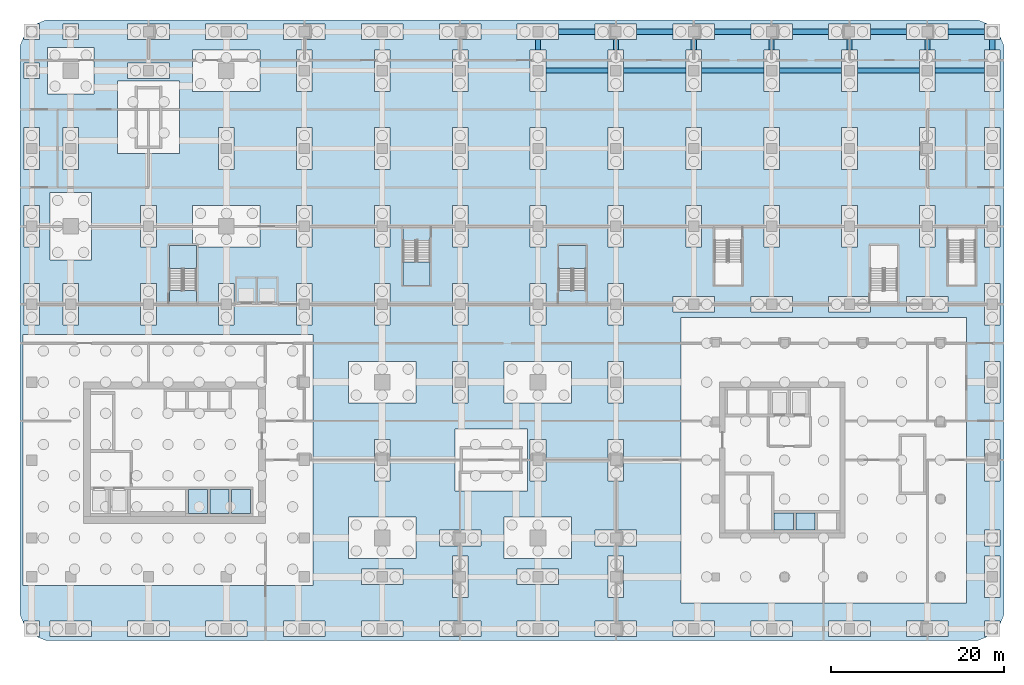
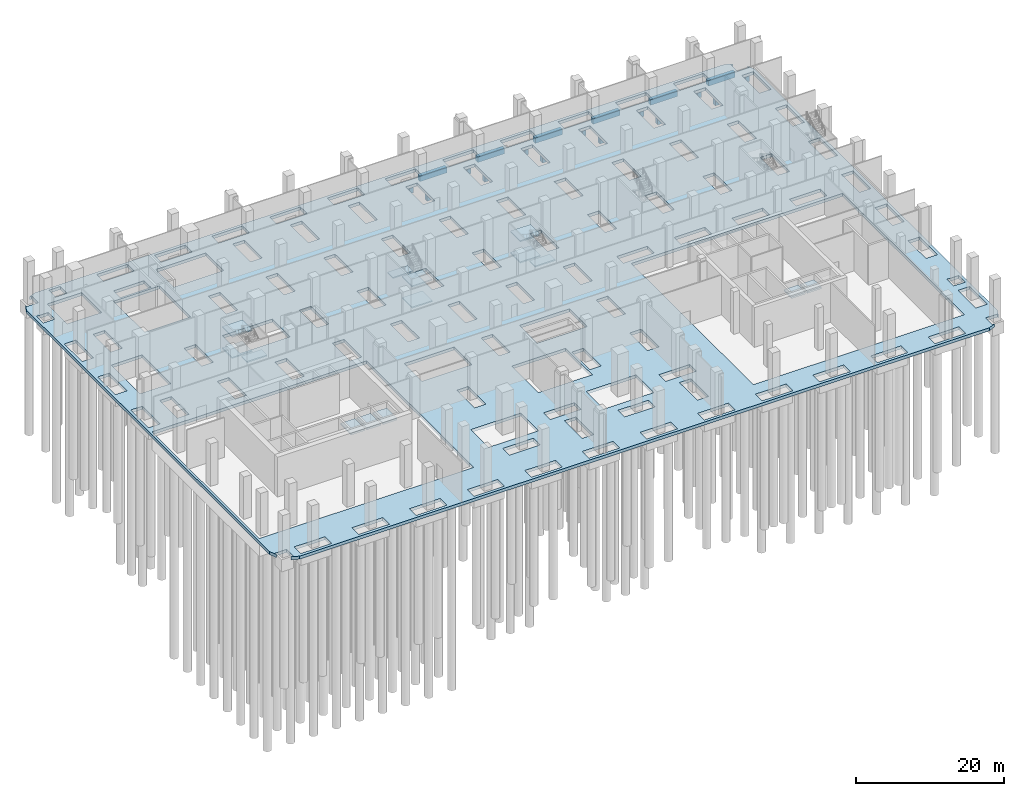
# One storey, part 6 of 23: 19 beams, 15 slabs, 3 elements without a shape of their own.
"""IFC4 building model written with IfcOpenShell, lengths in metres."""

from ifc_helpers import new_model, si_unit, direction, frame, origin, origin_2d, place, context, subcontext, project, spatial, polyline, rectangle, outline, extrude, material, layer, layer_set, material_profile, profile_set, type_object, element, aggregate, save


model = new_model("IFC4")

# Units and contexts
model_context = context("Model", 3, precision=1e-05, world=origin(), true_north=direction((0.0, 1.0)))
body_context = subcontext(model_context, "Body", "Model", "MODEL_VIEW")
ifc_project = project(units=[si_unit("LENGTHUNIT", "METRE"), si_unit("AREAUNIT", "SQUARE_METRE"), si_unit("VOLUMEUNIT", "CUBIC_METRE"), si_unit("PLANEANGLEUNIT", "RADIAN"), si_unit("MASSUNIT", "GRAM", prefix="KILO")], contexts=[model_context])

# Site, building, storey
site_placement = place(None, origin())
site = spatial("IfcSite", under=ifc_project, at=site_placement, CompositionType="ELEMENT")
building_placement = place(site_placement, origin())
building = spatial("IfcBuilding", under=site, at=building_placement, Name="Plateau Cross Towers", CompositionType="ELEMENT")
storey_placement = place(building_placement, frame((0.0, 0.0, -7.0)))
storey = spatial("IfcBuildingStorey", under=building, at=storey_placement, Name="B1", CompositionType="ELEMENT", Elevation=-7.0)

# Beams
ifc_material = material(Name="Concrete C40/50", Category="concrete")
ifc_material_profile = material_profile(ifc_material, rectangle(XDim=0.60009765625, YDim=0.89990234375, at=origin_2d()), Name="RC 600x900")
ifc_profile_set = profile_set([ifc_material_profile], Name="Concrete C40/50")
beam_type = type_object("IfcBeamType", Name="Ground tie beam RC 600x900", PredefinedType="BEAM", material=ifc_profile_set)
for number, where, z_axis, x_axis, name in (
    (1, (54.89990234375, 54.0, -0.949951171875), (1.0, 0.0, 0.0), (0.0, 1.0, 0.0), "GB085@B1"),
    (2, (63.89990234375, 54.0, -0.949951171875), (1.0, 0.0, 0.0), (0.0, 1.0, 0.0), "GB086@B1"),
    (3, (72.89990234375, 54.0, -0.949951171875), (1.0, 0.0, 0.0), (0.0, 1.0, 0.0), "GB087@B1"),
    (4, (81.89990234375, 54.0, -0.949951171875), (1.0, 0.0, 0.0), (0.0, 1.0, 0.0), "GB088@B1"),
    (5, (90.89990234375, 54.0, -0.949951171875), (1.0, 0.0, 0.0), (0.0, 1.0, 0.0), "GB089@B1"),
):
    element("IfcBeam", number, at=place(storey_placement, frame(where, z_axis=z_axis, x_axis=x_axis)), inside=storey, type_object=beam_type, Name=name, PredefinedType="BEAM", context=body_context, shape_type="SweptSolid", body=[
        extrude(rectangle(XDim=0.60009765625, YDim=0.89990234375, at=origin_2d()), origin(), (0.0, 0.0, 1.0), 7.2001953125),
    ])
beam_placement = place(storey_placement, frame((99.89990234375, 54.0, -0.949951171875), z_axis=(1.0, 0.0, 0.0), x_axis=(0.0, 1.0, 0.0)))
element("IfcBeam", 6, at=beam_placement, inside=storey, type_object=beam_type, Name="GB090@B1", PredefinedType="BEAM", context=body_context, shape_type="SweptSolid", body=[
    extrude(rectangle(XDim=0.60009765625, YDim=0.89990234375, at=origin_2d()), origin(), (0.0, 0.0, 1.0), 5.7001953125),
])
for number, where, z_axis, x_axis, name in (
    (7, (56.39990234375, 58.5, -0.949951171875), (1.0, 0.0, 0.0), (0.0, 1.0, 0.0), "GB098@B1"),
    (8, (65.39990234375, 58.5, -0.949951171875), (1.0, 0.0, 0.0), (0.0, 1.0, 0.0), "GB099@B1"),
    (9, (74.39990234375, 58.5, -0.949951171875), (1.0, 0.0, 0.0), (0.0, 1.0, 0.0), "GB100@B1"),
    (10, (83.39990234375, 58.5, -0.949951171875), (1.0, 0.0, 0.0), (0.0, 1.0, 0.0), "GB101@B1"),
    (11, (92.39990234375, 58.5, -0.949951171875), (1.0, 0.0, 0.0), (0.0, 1.0, 0.0), "GB102@B1"),
    (12, (101.39990234375, 58.5, -0.949951171875), (1.0, 0.0, 0.0), (0.0, 1.0, 0.0), "GB103@B1"),
):
    element("IfcBeam", number, at=place(storey_placement, frame(where, z_axis=z_axis, x_axis=x_axis)), inside=storey, type_object=beam_type, Name=name, PredefinedType="BEAM", context=body_context, shape_type="SweptSolid", body=[
        extrude(rectangle(XDim=0.60009765625, YDim=0.89990234375, at=origin_2d()), origin(), (0.0, 0.0, 1.0), 4.2001953125),
    ])
for number, where, z_axis, x_axis, name in (
    (13, (54.0, 56.39990234375, -0.949951171875), (0.0, 1.0, 0.0), (-1.0, 0.0, 0.0), "GB161@B1"),
    (14, (63.0, 56.39990234375, -0.949951171875), (0.0, 1.0, 0.0), (-1.0, 0.0, 0.0), "GB170@B1"),
    (15, (72.0, 56.39990234375, -0.949951171875), (0.0, 1.0, 0.0), (-1.0, 0.0, 0.0), "GB174@B1"),
    (16, (81.0, 56.39990234375, -0.949951171875), (0.0, 1.0, 0.0), (-1.0, 0.0, 0.0), "GB180@B1"),
    (17, (90.0, 56.39990234375, -0.949951171875), (0.0, 1.0, 0.0), (-1.0, 0.0, 0.0), "GB185@B1"),
    (18, (99.0, 56.39990234375, -0.949951171875), (0.0, 1.0, 0.0), (-1.0, 0.0, 0.0), "GB190@B1"),
    (19, (106.5, 56.39990234375, -0.949951171875), (0.0, 1.0, 0.0), (-1.0, 0.0, 0.0), "GB199@B1"),
):
    element("IfcBeam", number, at=place(storey_placement, frame(where, z_axis=z_axis, x_axis=x_axis)), inside=storey, type_object=beam_type, Name=name, PredefinedType="BEAM", context=body_context, shape_type="SweptSolid", body=[
        extrude(rectangle(XDim=0.60009765625, YDim=0.89990234375, at=origin_2d()), origin(), (0.0, 0.0, 1.0), 1.2001953125),
    ])

# Slabs
ifc_layer_1 = layer(ifc_material, 0.5)
ifc_layer_set_1 = layer_set([ifc_layer_1], Name="Concrete C40/50")
slab_type_1 = type_object("IfcSlabType", Name="Base slab 500", PredefinedType="BASESLAB", material=ifc_layer_set_1)
slab_1_placement = place(storey_placement, frame((0.0, 0.0, -0.5)))
element("IfcSlab", 20, at=slab_1_placement, inside=storey, type_object=slab_type_1, Name="SL-P-B1", PredefinedType="BASESLAB", context=body_context, shape_type="SweptSolid", body=[
    extrude(outline(polyline([(104.85009765625, -11.85009765625), (-2.85009765625, -11.85009765625), (-3.936279296875, -11.39990234375), (-3.60009765625, -11.39990234375), (-3.60009765625, -9.60009765625), (-5.39990234375, -9.60009765625), (-5.39990234375, -9.936279296875), (-5.85009765625, -8.85009765625), (-5.85009765625, 56.85009765625), (-5.39990234375, 57.936279296875), (-5.39990234375, 57.60009765625), (-3.60009765625, 57.60009765625), (-3.60009765625, 59.39990234375), (-3.936279296875, 59.39990234375), (-2.85009765625, 59.85009765625), (104.85009765625, 59.85009765625), (105.936279296875, 59.39990234375), (105.60009765625, 59.39990234375), (105.60009765625, 57.60009765625), (107.39990234375, 57.60009765625), (107.39990234375, 57.936279296875), (107.85009765625, 56.85009765625), (107.85009765625, -8.85009765625), (107.39990234375, -9.936279296875), (107.39990234375, -9.60009765625), (105.60009765625, -9.60009765625), (105.60009765625, -11.39990234375), (105.936279296875, -11.39990234375), (104.85009765625, -11.85009765625)]), holes=[polyline([(-2.39990234375, -9.60009765625), (-2.39990234375, -11.39990234375), (2.39990234375, -11.39990234375), (2.39990234375, -9.60009765625), (-2.39990234375, -9.60009765625)]), polyline([(15.60009765625, -9.60009765625), (15.60009765625, -11.39990234375), (20.39990234375, -11.39990234375), (20.39990234375, -9.60009765625), (15.60009765625, -9.60009765625)]), polyline([(6.60009765625, -11.39990234375), (11.39990234375, -11.39990234375), (11.39990234375, -9.60009765625), (6.60009765625, -9.60009765625), (6.60009765625, -11.39990234375)]), polyline([(-5.5, 23.5), (-5.5, -5.5), (28.0, -5.5), (28.0, 23.5), (-5.5, 23.5)]), polyline([(-5.39990234375, 29.39990234375), (-5.39990234375, 24.60009765625), (-3.60009765625, 24.60009765625), (-3.60009765625, 29.39990234375), (-5.39990234375, 29.39990234375)]), polyline([(17.10009765625, 24.60009765625), (18.89990234375, 24.60009765625), (18.89990234375, 29.39990234375), (17.10009765625, 29.39990234375), (17.10009765625, 24.60009765625)]), polyline([(-0.89990234375, 29.39990234375), (-0.89990234375, 24.60009765625), (0.89990234375, 24.60009765625), (0.89990234375, 29.39990234375), (-0.89990234375, 29.39990234375)]), polyline([(8.10009765625, 29.39990234375), (8.10009765625, 24.60009765625), (9.89990234375, 24.60009765625), (9.89990234375, 29.39990234375), (8.10009765625, 29.39990234375)]), polyline([(14.10009765625, 38.39990234375), (14.10009765625, 33.60009765625), (21.89990234375, 33.60009765625), (21.89990234375, 38.39990234375), (14.10009765625, 38.39990234375)]), polyline([(-5.39990234375, 38.39990234375), (-5.39990234375, 33.60009765625), (-3.60009765625, 33.60009765625), (-3.60009765625, 38.39990234375), (-5.39990234375, 38.39990234375)]), polyline([(8.10009765625, 38.39990234375), (8.10009765625, 33.60009765625), (9.89990234375, 33.60009765625), (9.89990234375, 38.39990234375), (8.10009765625, 38.39990234375)]), polyline([(-2.39990234375, 39.89990234375), (-2.39990234375, 32.10009765625), (2.39990234375, 32.10009765625), (2.39990234375, 39.89990234375), (-2.39990234375, 39.89990234375)]), polyline([(-0.89990234375, 42.60009765625), (0.89990234375, 42.60009765625), (0.89990234375, 47.39990234375), (-0.89990234375, 47.39990234375), (-0.89990234375, 42.60009765625)]), polyline([(-5.39990234375, 47.39990234375), (-5.39990234375, 42.60009765625), (-3.60009765625, 42.60009765625), (-3.60009765625, 47.39990234375), (-5.39990234375, 47.39990234375)]), polyline([(17.10009765625, 47.39990234375), (17.10009765625, 42.60009765625), (18.89990234375, 42.60009765625), (18.89990234375, 47.39990234375), (17.10009765625, 47.39990234375)]), polyline([(5.39990234375, 44.39990234375), (12.60009765625, 44.39990234375), (12.60009765625, 52.800048828125), (5.39990234375, 52.800048828125), (5.39990234375, 44.39990234375)]), polyline([(26.10009765625, 56.39990234375), (26.10009765625, 51.60009765625), (27.89990234375, 51.60009765625), (27.89990234375, 56.39990234375), (26.10009765625, 56.39990234375)]), polyline([(14.10009765625, 56.39990234375), (14.10009765625, 51.60009765625), (21.89990234375, 51.60009765625), (21.89990234375, 56.39990234375), (14.10009765625, 56.39990234375)]), polyline([(6.60009765625, 53.10009765625), (11.39990234375, 53.10009765625), (11.39990234375, 54.89990234375), (6.60009765625, 54.89990234375), (6.60009765625, 53.10009765625)]), polyline([(-2.699951171875, 56.699951171875), (-2.699951171875, 51.300048828125), (2.699951171875, 51.300048828125), (2.699951171875, 56.699951171875), (-2.699951171875, 56.699951171875)]), polyline([(-5.39990234375, 54.89990234375), (-5.39990234375, 53.10009765625), (-3.60009765625, 53.10009765625), (-3.60009765625, 54.89990234375), (-5.39990234375, 54.89990234375)]), polyline([(6.60009765625, 59.39990234375), (6.60009765625, 57.60009765625), (11.39990234375, 57.60009765625), (11.39990234375, 59.39990234375), (6.60009765625, 59.39990234375)]), polyline([(-0.89990234375, 59.39990234375), (-0.89990234375, 57.60009765625), (0.89990234375, 57.60009765625), (0.89990234375, 59.39990234375), (-0.89990234375, 59.39990234375)]), polyline([(15.60009765625, 59.39990234375), (15.60009765625, 57.60009765625), (20.39990234375, 57.60009765625), (20.39990234375, 59.39990234375), (15.60009765625, 59.39990234375)]), polyline([(24.60009765625, 59.39990234375), (24.60009765625, 57.60009765625), (29.39990234375, 57.60009765625), (29.39990234375, 59.39990234375), (24.60009765625, 59.39990234375)]), polyline([(24.60009765625, -9.60009765625), (24.60009765625, -11.39990234375), (29.39990234375, -11.39990234375), (29.39990234375, -9.60009765625), (24.60009765625, -9.60009765625)]), polyline([(42.60009765625, -9.60009765625), (42.60009765625, -11.39990234375), (47.39990234375, -11.39990234375), (47.39990234375, -9.60009765625), (42.60009765625, -9.60009765625)]), polyline([(33.60009765625, -11.39990234375), (38.39990234375, -11.39990234375), (38.39990234375, -9.60009765625), (33.60009765625, -9.60009765625), (33.60009765625, -11.39990234375)]), polyline([(33.60009765625, -3.60009765625), (33.60009765625, -5.39990234375), (38.39990234375, -5.39990234375), (38.39990234375, -3.60009765625), (33.60009765625, -3.60009765625)]), polyline([(44.10009765625, -2.10009765625), (44.10009765625, -6.89990234375), (45.89990234375, -6.89990234375), (45.89990234375, -2.10009765625), (44.10009765625, -2.10009765625)]), polyline([(42.60009765625, -0.89990234375), (47.39990234375, -0.89990234375), (47.39990234375, 0.89990234375), (42.60009765625, 0.89990234375), (42.60009765625, -0.89990234375)]), polyline([(32.10009765625, 2.39990234375), (32.10009765625, -2.39990234375), (39.89990234375, -2.39990234375), (39.89990234375, 2.39990234375), (32.10009765625, 2.39990234375)]), polyline([(35.10009765625, 11.39990234375), (35.10009765625, 6.60009765625), (36.89990234375, 6.60009765625), (36.89990234375, 11.39990234375), (35.10009765625, 11.39990234375)]), polyline([(44.39990234375, 12.60009765625), (44.39990234375, 5.39990234375), (52.800048828125, 5.39990234375), (52.800048828125, 12.60009765625), (44.39990234375, 12.60009765625)]), polyline([(50.10009765625, 20.39990234375), (50.10009765625, 15.60009765625), (57.89990234375, 15.60009765625), (57.89990234375, 20.39990234375), (50.10009765625, 20.39990234375)]), polyline([(32.10009765625, 20.39990234375), (32.10009765625, 15.60009765625), (39.89990234375, 15.60009765625), (39.89990234375, 20.39990234375), (32.10009765625, 20.39990234375)]), polyline([(44.10009765625, 20.39990234375), (44.10009765625, 15.60009765625), (45.89990234375, 15.60009765625), (45.89990234375, 20.39990234375), (44.10009765625, 20.39990234375)]), polyline([(35.10009765625, 24.60009765625), (36.89990234375, 24.60009765625), (36.89990234375, 29.39990234375), (35.10009765625, 29.39990234375), (35.10009765625, 24.60009765625)]), polyline([(26.10009765625, 29.39990234375), (26.10009765625, 24.60009765625), (27.89990234375, 24.60009765625), (27.89990234375, 29.39990234375), (26.10009765625, 29.39990234375)]), polyline([(44.10009765625, 29.39990234375), (44.10009765625, 24.60009765625), (45.89990234375, 24.60009765625), (45.89990234375, 29.39990234375), (44.10009765625, 29.39990234375)]), polyline([(26.10009765625, 38.39990234375), (26.10009765625, 33.60009765625), (27.89990234375, 33.60009765625), (27.89990234375, 38.39990234375), (26.10009765625, 38.39990234375)]), polyline([(44.10009765625, 38.39990234375), (44.10009765625, 33.60009765625), (45.89990234375, 33.60009765625), (45.89990234375, 38.39990234375), (44.10009765625, 38.39990234375)]), polyline([(35.10009765625, 38.39990234375), (35.10009765625, 33.60009765625), (36.89990234375, 33.60009765625), (36.89990234375, 38.39990234375), (35.10009765625, 38.39990234375)]), polyline([(44.10009765625, 47.39990234375), (44.10009765625, 42.60009765625), (45.89990234375, 42.60009765625), (45.89990234375, 47.39990234375), (44.10009765625, 47.39990234375)]), polyline([(35.10009765625, 42.60009765625), (36.89990234375, 42.60009765625), (36.89990234375, 47.39990234375), (35.10009765625, 47.39990234375), (35.10009765625, 42.60009765625)]), polyline([(26.10009765625, 47.39990234375), (26.10009765625, 42.60009765625), (27.89990234375, 42.60009765625), (27.89990234375, 47.39990234375), (26.10009765625, 47.39990234375)]), polyline([(44.10009765625, 56.39990234375), (44.10009765625, 51.60009765625), (45.89990234375, 51.60009765625), (45.89990234375, 56.39990234375), (44.10009765625, 56.39990234375)]), polyline([(35.10009765625, 56.39990234375), (35.10009765625, 51.60009765625), (36.89990234375, 51.60009765625), (36.89990234375, 56.39990234375), (35.10009765625, 56.39990234375)]), polyline([(53.10009765625, 56.39990234375), (53.10009765625, 51.60009765625), (54.89990234375, 51.60009765625), (54.89990234375, 56.39990234375), (53.10009765625, 56.39990234375)]), polyline([(42.60009765625, 59.39990234375), (42.60009765625, 57.60009765625), (47.39990234375, 57.60009765625), (47.39990234375, 59.39990234375), (42.60009765625, 59.39990234375)]), polyline([(33.60009765625, 59.39990234375), (33.60009765625, 57.60009765625), (38.39990234375, 57.60009765625), (38.39990234375, 59.39990234375), (33.60009765625, 59.39990234375)]), polyline([(51.60009765625, 57.60009765625), (56.39990234375, 57.60009765625), (56.39990234375, 59.39990234375), (51.60009765625, 59.39990234375), (51.60009765625, 57.60009765625)]), polyline([(60.60009765625, -9.60009765625), (60.60009765625, -11.39990234375), (65.39990234375, -11.39990234375), (65.39990234375, -9.60009765625), (60.60009765625, -9.60009765625)]), polyline([(51.60009765625, -9.60009765625), (51.60009765625, -11.39990234375), (56.39990234375, -11.39990234375), (56.39990234375, -9.60009765625), (51.60009765625, -9.60009765625)]), polyline([(78.60009765625, -11.39990234375), (83.39990234375, -11.39990234375), (83.39990234375, -9.60009765625), (78.60009765625, -9.60009765625), (78.60009765625, -11.39990234375)]), polyline([(69.60009765625, -9.60009765625), (69.60009765625, -11.39990234375), (74.39990234375, -11.39990234375), (74.39990234375, -9.60009765625), (69.60009765625, -9.60009765625)]), polyline([(62.10009765625, -2.10009765625), (62.10009765625, -6.89990234375), (63.89990234375, -6.89990234375), (63.89990234375, -2.10009765625), (62.10009765625, -2.10009765625)]), polyline([(51.60009765625, -5.39990234375), (56.39990234375, -5.39990234375), (56.39990234375, -3.60009765625), (51.60009765625, -3.60009765625), (51.60009765625, -5.39990234375)]), polyline([(50.10009765625, 2.39990234375), (50.10009765625, -2.39990234375), (57.89990234375, -2.39990234375), (57.89990234375, 2.39990234375), (50.10009765625, 2.39990234375)]), polyline([(60.60009765625, 0.89990234375), (60.60009765625, -0.89990234375), (65.39990234375, -0.89990234375), (65.39990234375, 0.89990234375), (60.60009765625, 0.89990234375)]), polyline([(53.10009765625, 11.39990234375), (53.10009765625, 6.60009765625), (54.89990234375, 6.60009765625), (54.89990234375, 11.39990234375), (53.10009765625, 11.39990234375)]), polyline([(62.10009765625, 11.39990234375), (62.10009765625, 6.60009765625), (63.89990234375, 6.60009765625), (63.89990234375, 11.39990234375), (62.10009765625, 11.39990234375)]), polyline([(62.10009765625, 20.39990234375), (62.10009765625, 15.60009765625), (63.89990234375, 15.60009765625), (63.89990234375, 20.39990234375), (62.10009765625, 20.39990234375)]), polyline([(62.10009765625, 29.39990234375), (62.10009765625, 24.60009765625), (63.89990234375, 24.60009765625), (63.89990234375, 29.39990234375), (62.10009765625, 29.39990234375)]), polyline([(69.60009765625, 26.10009765625), (74.39990234375, 26.10009765625), (74.39990234375, 27.89990234375), (69.60009765625, 27.89990234375), (69.60009765625, 26.10009765625)]), polyline([(78.60009765625, 27.89990234375), (78.60009765625, 26.10009765625), (83.39990234375, 26.10009765625), (83.39990234375, 27.89990234375), (78.60009765625, 27.89990234375)]), polyline([(53.10009765625, 29.39990234375), (53.10009765625, 24.60009765625), (54.89990234375, 24.60009765625), (54.89990234375, 29.39990234375), (53.10009765625, 29.39990234375)]), polyline([(53.10009765625, 33.60009765625), (54.89990234375, 33.60009765625), (54.89990234375, 38.39990234375), (53.10009765625, 38.39990234375), (53.10009765625, 33.60009765625)]), polyline([(71.10009765625, 38.39990234375), (71.10009765625, 33.60009765625), (72.89990234375, 33.60009765625), (72.89990234375, 38.39990234375), (71.10009765625, 38.39990234375)]), polyline([(80.10009765625, 38.39990234375), (80.10009765625, 33.60009765625), (81.89990234375, 33.60009765625), (81.89990234375, 38.39990234375), (80.10009765625, 38.39990234375)]), polyline([(62.10009765625, 33.60009765625), (63.89990234375, 33.60009765625), (63.89990234375, 38.39990234375), (62.10009765625, 38.39990234375), (62.10009765625, 33.60009765625)]), polyline([(71.10009765625, 47.39990234375), (71.10009765625, 42.60009765625), (72.89990234375, 42.60009765625), (72.89990234375, 47.39990234375), (71.10009765625, 47.39990234375)]), polyline([(62.10009765625, 47.39990234375), (62.10009765625, 42.60009765625), (63.89990234375, 42.60009765625), (63.89990234375, 47.39990234375), (62.10009765625, 47.39990234375)]), polyline([(53.10009765625, 47.39990234375), (53.10009765625, 42.60009765625), (54.89990234375, 42.60009765625), (54.89990234375, 47.39990234375), (53.10009765625, 47.39990234375)]), polyline([(80.10009765625, 47.39990234375), (80.10009765625, 42.60009765625), (81.89990234375, 42.60009765625), (81.89990234375, 47.39990234375), (80.10009765625, 47.39990234375)]), polyline([(71.10009765625, 56.39990234375), (71.10009765625, 51.60009765625), (72.89990234375, 51.60009765625), (72.89990234375, 56.39990234375), (71.10009765625, 56.39990234375)]), polyline([(62.10009765625, 56.39990234375), (62.10009765625, 51.60009765625), (63.89990234375, 51.60009765625), (63.89990234375, 56.39990234375), (62.10009765625, 56.39990234375)]), polyline([(69.60009765625, 57.60009765625), (74.39990234375, 57.60009765625), (74.39990234375, 59.39990234375), (69.60009765625, 59.39990234375), (69.60009765625, 57.60009765625)]), polyline([(60.60009765625, 59.39990234375), (60.60009765625, 57.60009765625), (65.39990234375, 57.60009765625), (65.39990234375, 59.39990234375), (60.60009765625, 59.39990234375)]), polyline([(87.60009765625, -9.60009765625), (87.60009765625, -11.39990234375), (92.39990234375, -11.39990234375), (92.39990234375, -9.60009765625), (87.60009765625, -9.60009765625)]), polyline([(96.60009765625, -9.60009765625), (96.60009765625, -11.39990234375), (101.39990234375, -11.39990234375), (101.39990234375, -9.60009765625), (96.60009765625, -9.60009765625)]), polyline([(105.60009765625, -2.10009765625), (105.60009765625, -6.89990234375), (107.39990234375, -6.89990234375), (107.39990234375, -2.10009765625), (105.60009765625, -2.10009765625)]), polyline([(105.60009765625, -0.89990234375), (107.39990234375, -0.89990234375), (107.39990234375, 0.89990234375), (105.60009765625, 0.89990234375), (105.60009765625, -0.89990234375)]), polyline([(70.5, 25.5), (70.5, -7.5), (103.5, -7.5), (103.5, 25.5), (70.5, 25.5)]), polyline([(105.60009765625, 11.39990234375), (105.60009765625, 6.60009765625), (107.39990234375, 6.60009765625), (107.39990234375, 11.39990234375), (105.60009765625, 11.39990234375)]), polyline([(105.60009765625, 20.39990234375), (105.60009765625, 15.60009765625), (107.39990234375, 15.60009765625), (107.39990234375, 20.39990234375), (105.60009765625, 20.39990234375)]), polyline([(87.60009765625, 27.89990234375), (87.60009765625, 26.10009765625), (92.39990234375, 26.10009765625), (92.39990234375, 27.89990234375), (87.60009765625, 27.89990234375)]), polyline([(105.60009765625, 29.39990234375), (105.60009765625, 24.60009765625), (107.39990234375, 24.60009765625), (107.39990234375, 29.39990234375), (105.60009765625, 29.39990234375)]), polyline([(96.60009765625, 27.89990234375), (96.60009765625, 26.10009765625), (101.39990234375, 26.10009765625), (101.39990234375, 27.89990234375), (96.60009765625, 27.89990234375)]), polyline([(105.60009765625, 33.60009765625), (107.39990234375, 33.60009765625), (107.39990234375, 38.39990234375), (105.60009765625, 38.39990234375), (105.60009765625, 33.60009765625)]), polyline([(89.10009765625, 38.39990234375), (89.10009765625, 33.60009765625), (90.89990234375, 33.60009765625), (90.89990234375, 38.39990234375), (89.10009765625, 38.39990234375)]), polyline([(98.10009765625, 38.39990234375), (98.10009765625, 33.60009765625), (99.89990234375, 33.60009765625), (99.89990234375, 38.39990234375), (98.10009765625, 38.39990234375)]), polyline([(98.10009765625, 47.39990234375), (98.10009765625, 42.60009765625), (99.89990234375, 42.60009765625), (99.89990234375, 47.39990234375), (98.10009765625, 47.39990234375)]), polyline([(105.60009765625, 47.39990234375), (105.60009765625, 42.60009765625), (107.39990234375, 42.60009765625), (107.39990234375, 47.39990234375), (105.60009765625, 47.39990234375)]), polyline([(89.10009765625, 47.39990234375), (89.10009765625, 42.60009765625), (90.89990234375, 42.60009765625), (90.89990234375, 47.39990234375), (89.10009765625, 47.39990234375)]), polyline([(98.10009765625, 56.39990234375), (98.10009765625, 51.60009765625), (99.89990234375, 51.60009765625), (99.89990234375, 56.39990234375), (98.10009765625, 56.39990234375)]), polyline([(105.60009765625, 51.60009765625), (107.39990234375, 51.60009765625), (107.39990234375, 56.39990234375), (105.60009765625, 56.39990234375), (105.60009765625, 51.60009765625)]), polyline([(89.10009765625, 56.39990234375), (89.10009765625, 51.60009765625), (90.89990234375, 51.60009765625), (90.89990234375, 56.39990234375), (89.10009765625, 56.39990234375)]), polyline([(80.10009765625, 56.39990234375), (80.10009765625, 51.60009765625), (81.89990234375, 51.60009765625), (81.89990234375, 56.39990234375), (80.10009765625, 56.39990234375)]), polyline([(96.60009765625, 59.39990234375), (96.60009765625, 57.60009765625), (101.39990234375, 57.60009765625), (101.39990234375, 59.39990234375), (96.60009765625, 59.39990234375)]), polyline([(87.60009765625, 59.39990234375), (87.60009765625, 57.60009765625), (92.39990234375, 57.60009765625), (92.39990234375, 59.39990234375), (87.60009765625, 59.39990234375)]), polyline([(78.60009765625, 59.39990234375), (78.60009765625, 57.60009765625), (83.39990234375, 57.60009765625), (83.39990234375, 59.39990234375), (78.60009765625, 59.39990234375)])]), origin(), (0.0, 0.0, 1.0), 0.5),
])
ifc_layer_2 = layer(ifc_material, 0.300048828125)
ifc_layer_set_2 = layer_set([ifc_layer_2], Name="Concrete C40/50")
slab_type_2 = type_object("IfcSlabType", Name="Lift pit slab 300", PredefinedType="BASESLAB", material=ifc_layer_set_2)
slab_2_placement = place(storey_placement, frame((0.0, 0.0, 5.300048828125)))
element("IfcSlab", 21, at=slab_2_placement, inside=storey, type_object=slab_type_2, Name="Lift pit slab LL1", PredefinedType="BASESLAB", context=body_context, shape_type="SweptSolid", body=[
    extrude(outline(polyline([(13.60009765625, 2.800048828125), (15.800048828125, 2.800048828125), (15.800048828125, 5.60009765625), (13.60009765625, 5.60009765625), (13.60009765625, 2.800048828125)])), origin(), (0.0, 0.0, 1.0), 0.300048828125),
])
slab_3_placement = place(storey_placement, frame((0.0, 0.0, 5.300048828125)))
element("IfcSlab", 22, at=slab_3_placement, inside=storey, type_object=slab_type_2, Name="Lift pit slab LL2", PredefinedType="BASESLAB", context=body_context, shape_type="SweptSolid", body=[
    extrude(outline(polyline([(16.10009765625, 2.800048828125), (18.300048828125, 2.800048828125), (18.300048828125, 5.60009765625), (16.10009765625, 5.60009765625), (16.10009765625, 2.800048828125)])), origin(), (0.0, 0.0, 1.0), 0.300048828125),
])
slab_4_placement = place(storey_placement, frame((0.0, 0.0, 5.300048828125)))
element("IfcSlab", 23, at=slab_4_placement, inside=storey, type_object=slab_type_2, Name="Lift pit slab LL3", PredefinedType="BASESLAB", context=body_context, shape_type="SweptSolid", body=[
    extrude(outline(polyline([(18.60009765625, 2.800048828125), (20.800048828125, 2.800048828125), (20.800048828125, 5.60009765625), (18.60009765625, 5.60009765625), (18.60009765625, 2.800048828125)])), origin(), (0.0, 0.0, 1.0), 0.300048828125),
])
slab_5_placement = place(storey_placement, frame((0.0, 0.0, 5.300048828125)))
element("IfcSlab", 24, at=slab_5_placement, inside=storey, type_object=slab_type_2, Name="Lift pit slab BL1", PredefinedType="BASESLAB", context=body_context, shape_type="SweptSolid", body=[
    extrude(outline(polyline([(81.300048828125, 0.89990234375), (83.5, 0.89990234375), (83.5, 2.89990234375), (81.300048828125, 2.89990234375), (81.300048828125, 0.89990234375)])), origin(), (0.0, 0.0, 1.0), 0.300048828125),
])
slab_6_placement = place(storey_placement, frame((0.0, 0.0, 5.300048828125)))
element("IfcSlab", 25, at=slab_6_placement, inside=storey, type_object=slab_type_2, Name="Lift pit slab BL2", PredefinedType="BASESLAB", context=body_context, shape_type="SweptSolid", body=[
    extrude(outline(polyline([(83.800048828125, 0.89990234375), (86.0, 0.89990234375), (86.0, 2.89990234375), (83.800048828125, 2.89990234375), (83.800048828125, 0.89990234375)])), origin(), (0.0, 0.0, 1.0), 0.300048828125),
])

# Stair, slabs
stair_type = type_object("IfcStairType", Name="Station exit stair 1500", PredefinedType="HALF_TURN_STAIR", material=ifc_material)
stair_1_placement = place(storey_placement, origin())
stair_1 = element("IfcStair", 26, at=stair_1_placement, inside=storey, type_object=stair_type, Name="B1 Exit Stair 1", PredefinedType="HALF_TURN_STAIR")
ifc_layer_3 = layer(ifc_material, 0.199951171875)
ifc_layer_set_3 = layer_set([ifc_layer_3], Name="Concrete C40/50")
slab_type_3 = type_object("IfcSlabType", Name="SL-LANDING", PredefinedType="LANDING", material=ifc_layer_set_3)
slab_7_placement = place(storey_placement, frame((0.0, 0.0, 1.550048828125)))
slab_7 = element("IfcSlab", 27, at=slab_7_placement, type_object=slab_type_3, Name="PB1 landing 1", PredefinedType="LANDING", context=body_context, shape_type="SweptSolid", body=[
    extrude(outline(polyline([(14.550048828125, 31.1201171875), (14.550048828125, 33.800048828125), (11.39990234375, 33.800048828125), (11.39990234375, 31.1201171875), (14.550048828125, 31.1201171875)])), origin(), (0.0, 0.0, 1.0), 0.199951171875),
])
slab_8_placement = place(storey_placement, frame((0.0, 0.0, 3.300048828125)))
slab_8 = element("IfcSlab", 28, at=slab_8_placement, type_object=slab_type_3, Name="PB1 landing 2", PredefinedType="LANDING", context=body_context, shape_type="SweptSolid", body=[
    extrude(outline(polyline([(14.550048828125, 27.10009765625), (14.550048828125, 28.60009765625), (11.39990234375, 28.60009765625), (11.39990234375, 27.10009765625), (14.550048828125, 27.10009765625)])), origin(), (0.0, 0.0, 1.0), 0.199951171875),
])
slab_9_placement = place(storey_placement, frame((0.0, 0.0, 5.050048828125)))
slab_9 = element("IfcSlab", 29, at=slab_9_placement, type_object=slab_type_3, Name="PB1 landing 3", PredefinedType="LANDING", context=body_context, shape_type="SweptSolid", body=[
    extrude(outline(polyline([(14.550048828125, 31.1201171875), (14.550048828125, 33.800048828125), (11.39990234375, 33.800048828125), (11.39990234375, 31.1201171875), (14.550048828125, 31.1201171875)])), origin(), (0.0, 0.0, 1.0), 0.199951171875),
])
aggregate(stair_1, [slab_7, slab_8, slab_9])

stair_2_placement = place(storey_placement, origin())
stair_2 = element("IfcStair", 30, at=stair_2_placement, inside=storey, type_object=stair_type, Name="B1 Exit Stair 2", PredefinedType="HALF_TURN_STAIR")
slab_10_placement = place(storey_placement, frame((0.0, 0.0, 1.550048828125)))
slab_10 = element("IfcSlab", 31, at=slab_10_placement, type_object=slab_type_3, Name="PB2 landing 1", PredefinedType="LANDING", context=body_context, shape_type="SweptSolid", body=[
    extrude(outline(polyline([(38.39990234375, 31.8798828125), (38.39990234375, 29.199951171875), (41.550048828125, 29.199951171875), (41.550048828125, 31.8798828125), (38.39990234375, 31.8798828125)])), origin(), (0.0, 0.0, 1.0), 0.199951171875),
])
slab_11_placement = place(storey_placement, frame((0.0, 0.0, 3.300048828125)))
slab_11 = element("IfcSlab", 32, at=slab_11_placement, type_object=slab_type_3, Name="PB2 landing 2", PredefinedType="LANDING", context=body_context, shape_type="SweptSolid", body=[
    extrude(outline(polyline([(38.39990234375, 35.89990234375), (38.39990234375, 34.39990234375), (41.550048828125, 34.39990234375), (41.550048828125, 35.89990234375), (38.39990234375, 35.89990234375)])), origin(), (0.0, 0.0, 1.0), 0.199951171875),
])
slab_12_placement = place(storey_placement, frame((0.0, 0.0, 5.050048828125)))
slab_12 = element("IfcSlab", 33, at=slab_12_placement, type_object=slab_type_3, Name="PB2 landing 3", PredefinedType="LANDING", context=body_context, shape_type="SweptSolid", body=[
    extrude(outline(polyline([(38.39990234375, 31.8798828125), (38.39990234375, 29.199951171875), (41.550048828125, 29.199951171875), (41.550048828125, 31.8798828125), (38.39990234375, 31.8798828125)])), origin(), (0.0, 0.0, 1.0), 0.199951171875),
])
aggregate(stair_2, [slab_10, slab_11, slab_12])

stair_3_placement = place(storey_placement, origin())
stair_3 = element("IfcStair", 34, at=stair_3_placement, inside=storey, type_object=stair_type, Name="B1 Exit Stair 3", PredefinedType="HALF_TURN_STAIR")
slab_13_placement = place(storey_placement, frame((0.0, 0.0, 1.550048828125)))
slab_13 = element("IfcSlab", 35, at=slab_13_placement, type_object=slab_type_3, Name="PB3 landing 1", PredefinedType="LANDING", context=body_context, shape_type="SweptSolid", body=[
    extrude(outline(polyline([(59.550048828125, 31.1201171875), (59.550048828125, 33.800048828125), (56.39990234375, 33.800048828125), (56.39990234375, 31.1201171875), (59.550048828125, 31.1201171875)])), origin(), (0.0, 0.0, 1.0), 0.199951171875),
])
slab_14_placement = place(storey_placement, frame((0.0, 0.0, 3.300048828125)))
slab_14 = element("IfcSlab", 36, at=slab_14_placement, type_object=slab_type_3, Name="PB3 landing 2", PredefinedType="LANDING", context=body_context, shape_type="SweptSolid", body=[
    extrude(outline(polyline([(59.550048828125, 27.10009765625), (59.550048828125, 28.60009765625), (56.39990234375, 28.60009765625), (56.39990234375, 27.10009765625), (59.550048828125, 27.10009765625)])), origin(), (0.0, 0.0, 1.0), 0.199951171875),
])
slab_15_placement = place(storey_placement, frame((0.0, 0.0, 5.050048828125)))
slab_15 = element("IfcSlab", 37, at=slab_15_placement, type_object=slab_type_3, Name="PB3 landing 3", PredefinedType="LANDING", context=body_context, shape_type="SweptSolid", body=[
    extrude(outline(polyline([(59.550048828125, 31.1201171875), (59.550048828125, 33.800048828125), (56.39990234375, 33.800048828125), (56.39990234375, 31.1201171875), (59.550048828125, 31.1201171875)])), origin(), (0.0, 0.0, 1.0), 0.199951171875),
])
aggregate(stair_3, [slab_13, slab_14, slab_15])

save(model, "model.ifc")
